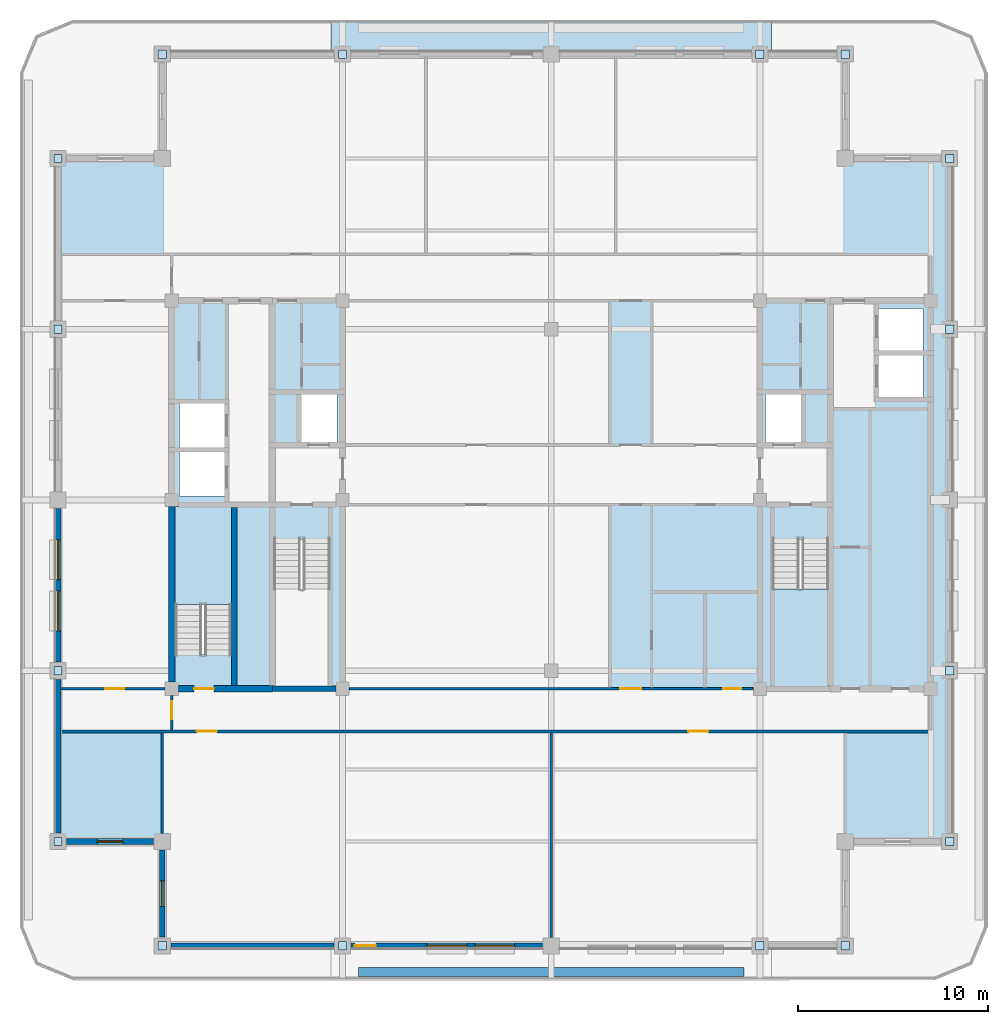
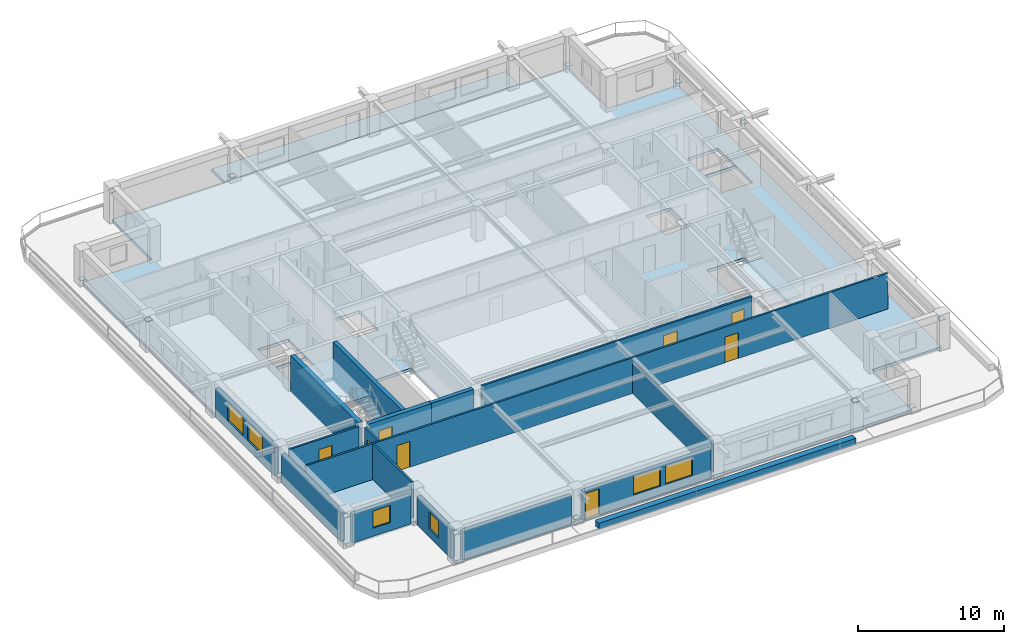
# One storey, part 2 of 11: 17 walls, 16 plates, 8 doors, 6 windows, 4 slabs, 14 openings, 2 elements without a shape of their own.
"""IFC4 building model written with IfcOpenShell, lengths in metres."""

from ifc_helpers import new_model, si_unit, direction, frame, frame_2d, origin, origin_2d, place, context, subcontext, project, spatial, polyline, rectangle, outline, extrude, material, layer, layer_set, type_object, element, fill, aggregate, save


model = new_model("IFC4")

# Units and contexts
model_context = context("Model", 3, precision=1e-05, world=origin(), true_north=direction((0.0, 1.0)))
body_context = subcontext(model_context, "Body", "Model", "MODEL_VIEW")
ifc_project = project(units=[si_unit("LENGTHUNIT", "METRE"), si_unit("AREAUNIT", "SQUARE_METRE"), si_unit("VOLUMEUNIT", "CUBIC_METRE"), si_unit("PLANEANGLEUNIT", "RADIAN"), si_unit("MASSUNIT", "GRAM", prefix="KILO")], contexts=[model_context])

# Site, building, storey
site_placement = place(None, origin())
site = spatial("IfcSite", under=ifc_project, at=site_placement, CompositionType="ELEMENT")
building_placement = place(site_placement, origin())
building = spatial("IfcBuilding", under=site, at=building_placement, Name="Zulmaris Gate Convention Tower", CompositionType="ELEMENT")
storey_placement = place(building_placement, frame((0.0, 0.0, 260.889892578125)))
storey = spatial("IfcBuildingStorey", under=building, at=storey_placement, Name="L69", CompositionType="ELEMENT", Elevation=260.889892578125)

# Plates
ifc_material_1 = material(Name="Steel S460", Category="steel")
ifc_layer_1 = layer(ifc_material_1, 0.02490234375, Name="Steel S460")
ifc_layer_set_1 = layer_set([ifc_layer_1], Name="Steel S460")
plate_type = type_object("IfcPlateType", Name="NP-CAP-440", PredefinedType="USERDEFINED", material=ifc_layer_set_1)
for number, where, z_axis, x_axis, name in (
    (1, (-26.0, -9.0, 0.28759765625), (0.0, 0.0, 1.0), (1.0, 0.0, 0.0), "L69 Steel Node Plate PBR-L69-SW-W-CAP"),
    (2, (-26.0, -18.0, 2.34765625), (0.0, 0.0, 1.0), (1.0, 0.0, 0.0), "L69 Steel Node Plate PBR-L69-SW-W-CAPB"),
    (3, (-26.0, 18.0, 0.28759765625), (0.0, 0.0, 1.0), (1.0, 0.0, 0.0), "L69 Steel Node Plate PBR-L69-NW-W-CAP"),
    (4, (-26.0, 9.0, 2.34765625), (0.0, 0.0, 1.0), (1.0, 0.0, 0.0), "L69 Steel Node Plate PBR-L69-NW-W-CAPB"),
    (5, (21.0, -9.0, 0.28759765625), (0.0, 0.0, 1.0), (1.0, 0.0, 0.0), "L69 Steel Node Plate PBR-L69-SE-E-CAP"),
    (6, (21.0, -18.0, 2.34765625), (0.0, 0.0, 1.0), (1.0, 0.0, 0.0), "L69 Steel Node Plate PBR-L69-SE-E-CAPB"),
    (7, (21.0, 18.0, 0.28759765625), (0.0, 0.0, 1.0), (1.0, 0.0, 0.0), "L69 Steel Node Plate PBR-L69-NE-E-CAP"),
    (8, (21.0, 9.0, 2.34765625), (0.0, 0.0, 1.0), (1.0, 0.0, 0.0), "L69 Steel Node Plate PBR-L69-NE-E-CAPB"),
    (9, (-11.0, -23.5, 0.28759765625), (0.0, 0.0, 1.0), (1.0, 0.0, 0.0), "L69 Steel Node Plate PBR-L69-SW-S-CAP"),
    (10, (-20.5, -23.5, 2.34765625), (0.0, 0.0, 1.0), (1.0, 0.0, 0.0), "L69 Steel Node Plate PBR-L69-SW-S-CAPB"),
    (11, (15.5, -23.5, 0.28759765625), (0.0, 0.0, 1.0), (1.0, 0.0, 0.0), "L69 Steel Node Plate PBR-L69-SE-S-CAP"),
    (12, (11.0, -23.5, 2.34765625), (0.0, 0.0, 1.0), (1.0, 0.0, 0.0), "L69 Steel Node Plate PBR-L69-SE-S-CAPB"),
    (13, (-11.0, 23.5, 0.28759765625), (0.0, 0.0, 1.0), (1.0, 0.0, 0.0), "L69 Steel Node Plate PBR-L69-NW-N-CAP"),
    (14, (-20.5, 23.5, 2.34765625), (0.0, 0.0, 1.0), (1.0, 0.0, 0.0), "L69 Steel Node Plate PBR-L69-NW-N-CAPB"),
    (15, (15.5, 23.5, 0.28759765625), (0.0, 0.0, 1.0), (1.0, 0.0, 0.0), "L69 Steel Node Plate PBR-L69-NE-N-CAP"),
    (16, (11.0, 23.5, 2.34765625), (0.0, 0.0, 1.0), (1.0, 0.0, 0.0), "L69 Steel Node Plate PBR-L69-NE-N-CAPB"),
):
    element("IfcPlate", number, at=place(storey_placement, frame(where, z_axis=z_axis, x_axis=x_axis)), inside=storey, type_object=plate_type, Name=name, ObjectType="FLANGE PLATE", PredefinedType="USERDEFINED", context=body_context, shape_type="SweptSolid", body=[
        extrude(rectangle(XDim=0.43994140625, YDim=0.43994140625, at=origin_2d()), origin(), (0.0, 0.0, 1.0), 0.02490234375),
    ])

# Slabs
ifc_material_2 = material(Name="Precast concrete C50/60", Category="concrete")
ifc_layer_2 = layer(ifc_material_2, 0.239990234375, Name="Precast concrete C50/60")
ifc_layer_set_2 = layer_set([ifc_layer_2], Name="Precast concrete C50/60")
slab_type_1 = type_object("IfcSlabType", Name="SL-BAL-240", PredefinedType="FLOOR", material=ifc_layer_set_2)
slab_1_placement = place(storey_placement, frame((0.0, 0.0, -0.25)))
element("IfcSlab", 17, at=slab_1_placement, inside=storey, type_object=slab_type_1, Name="L69 North Tree-Balcony Planter Slab", PredefinedType="FLOOR", context=body_context, shape_type="SweptSolid", body=[
    extrude(outline(polyline([(11.597900390625, 25.300048828125), (11.597900390625, 23.5), (-11.597900390625, 23.5), (-11.597900390625, 25.300048828125), (11.597900390625, 25.300048828125)])), origin(), (0.0, 0.0, 1.0), 0.239990234375),
])
ifc_material_3 = material(Name="Concrete C50/60", Category="concrete")
ifc_layer_3 = layer(ifc_material_3, 0.25, Name="Concrete C50/60")
ifc_layer_set_3 = layer_set([ifc_layer_3], Name="Concrete C50/60")
slab_type_2 = type_object("IfcSlabType", Name="SL-FLR-250", PredefinedType="FLOOR", material=ifc_layer_set_3)
slab_2_placement = place(storey_placement, frame((0.0, 0.0, -0.25)))
element("IfcSlab", 18, at=slab_2_placement, inside=storey, type_object=slab_type_2, Name="L69 Shifted Notched-Square Structural Floor Slab", PredefinedType="FLOOR", context=body_context, shape_type="SweptSolid", body=[
    extrude(outline(polyline([(-20.5, -23.5), (15.5, -23.5), (15.5, -18.0), (21.0, -18.0), (21.0, 18.0), (15.5, 18.0), (15.5, 23.5), (-20.5, 23.5), (-20.5, 18.0), (-26.0, 18.0), (-26.0, -18.0), (-20.5, -18.0), (-20.5, -23.5)]), holes=[polyline([(-14.6201171875, -2.080078125), (-14.6201171875, -9.85009765625), (-11.659912109375, -9.85009765625), (-11.659912109375, -2.080078125), (-14.6201171875, -2.080078125)]), polyline([(11.659912109375, -2.080078125), (11.659912109375, -9.85009765625), (14.6201171875, -9.85009765625), (14.6201171875, -2.080078125), (11.659912109375, -2.080078125)]), polyline([(-16.860107421875, -8.1201171875), (-16.860107421875, -0.35009765625), (-19.820068359375, -0.35009765625), (-19.820068359375, -8.1201171875), (-16.860107421875, -8.1201171875)]), polyline([(-13.199951171875, 3.0), (-11.300048828125, 3.0), (-11.300048828125, 5.60009765625), (-13.199951171875, 5.60009765625), (-13.199951171875, 3.0)]), polyline([(11.300048828125, 3.0), (13.199951171875, 3.0), (13.199951171875, 5.60009765625), (11.300048828125, 5.60009765625), (11.300048828125, 3.0)]), polyline([(17.199951171875, 5.39990234375), (19.60009765625, 5.39990234375), (19.60009765625, 7.699951171875), (17.199951171875, 7.699951171875), (17.199951171875, 5.39990234375)]), polyline([(17.199951171875, 7.800048828125), (19.60009765625, 7.800048828125), (19.60009765625, 10.10009765625), (17.199951171875, 10.10009765625), (17.199951171875, 7.800048828125)]), polyline([(-19.60009765625, 0.199951171875), (-17.199951171875, 0.199951171875), (-17.199951171875, 2.60009765625), (-19.60009765625, 2.60009765625), (-19.60009765625, 0.199951171875)]), polyline([(-19.60009765625, 2.699951171875), (-17.199951171875, 2.699951171875), (-17.199951171875, 5.10009765625), (-19.60009765625, 5.10009765625), (-19.60009765625, 2.699951171875)])]), origin(), (0.0, 0.0, 1.0), 0.25),
])

# Stair, slab
ifc_material_4 = material(Name="Concrete C45/55", Category="concrete")
stair_type = type_object("IfcStairType", Name="ST-CORE-DOGLEG", PredefinedType="HALF_TURN_STAIR", material=ifc_material_4)
stair_1_placement = place(storey_placement, origin())
stair_1 = element("IfcStair", 19, at=stair_1_placement, inside=storey, type_object=stair_type, Name="L69 Core Exit Stair ST-2", PredefinedType="HALF_TURN_STAIR")
ifc_layer_4 = layer(ifc_material_4, 0.199951171875, Name="Concrete C45/55")
ifc_layer_set_4 = layer_set([ifc_layer_4], Name="Concrete C45/55")
slab_type_3 = type_object("IfcSlabType", Name="SL-LND-200", PredefinedType="LANDING", material=ifc_layer_set_4)
slab_3_placement = place(storey_placement, frame((0.0, 0.0, 1.4150390625)))
slab_3 = element("IfcSlab", 20, at=slab_3_placement, type_object=slab_type_3, Name="ST-2 landing 1", PredefinedType="LANDING", context=body_context, shape_type="SweptSolid", body=[
    extrude(outline(polyline([(11.659912109375, -4.699951171875), (11.659912109375, -9.85009765625), (14.6201171875, -9.85009765625), (14.6201171875, -4.699951171875), (11.659912109375, -4.699951171875)])), origin(), (0.0, 0.0, 1.0), 0.199951171875),
])
aggregate(stair_1, [slab_3])

stair_2_placement = place(storey_placement, origin())
stair_2 = element("IfcStair", 21, at=stair_2_placement, inside=storey, type_object=stair_type, Name="L69 Core Exit Stair ST-3", PredefinedType="HALF_TURN_STAIR")
slab_4_placement = place(storey_placement, frame((0.0, 0.0, 1.4150390625)))
slab_4 = element("IfcSlab", 22, at=slab_4_placement, type_object=slab_type_3, Name="ST-3 landing 1", PredefinedType="LANDING", context=body_context, shape_type="SweptSolid", body=[
    extrude(outline(polyline([(-16.860107421875, -5.5), (-16.860107421875, -0.35009765625), (-19.820068359375, -0.35009765625), (-19.820068359375, -5.5), (-16.860107421875, -5.5)])), origin(), (0.0, 0.0, 1.0), 0.199951171875),
])
aggregate(stair_2, [slab_4])

# Walls
ifc_layer_5 = layer(ifc_material_3, 0.300048828125, Name="Concrete C50/60")
ifc_layer_set_5 = layer_set([ifc_layer_5], Name="Concrete C50/60")
wall_type_1 = type_object("IfcWallType", Name="CORE-300", PredefinedType="SHEAR", material=ifc_layer_set_5)
wall_1_placement = place(storey_placement, frame((-14.699951171875, -9.949951171875, 0.0), z_axis=(0.0, 0.0, 1.0), x_axis=(1.0, 0.0, 0.0)))
element("IfcWall", 23, at=wall_1_placement, inside=storey, type_object=wall_type_1, Name="WL-L69-002", PredefinedType="SHEAR", context=body_context, shape_type="SweptSolid", body=[
    extrude(rectangle(XDim=3.345947265625, YDim=0.300048828125, at=frame_2d((1.6728515625, 0.0))), origin(), (0.0, 0.0, 1.0), 2.97998046875),
])
wall_2_placement = place(storey_placement, frame((-16.699951171875, -9.77294921875, 0.0), z_axis=(0.0, 0.0, 1.0), x_axis=(0.0, 1.0, 0.0)))
element("IfcWall", 24, at=wall_2_placement, inside=storey, type_object=wall_type_1, Name="WL-L69-038", PredefinedType="SHEAR", context=body_context, shape_type="SweptSolid", body=[
    extrude(rectangle(XDim=9.370849609375, YDim=0.300048828125, at=frame_2d((4.685546875, 0.0))), origin(), (0.0, 0.0, 1.0), 2.97998046875),
])

# Wall, opening, door
ifc_material_5 = material(Name="Concrete C55/67", Category="concrete")
ifc_layer_6 = layer(ifc_material_5, 0.35009765625, Name="Concrete C55/67")
ifc_layer_set_6 = layer_set([ifc_layer_6], Name="Concrete C55/67")
wall_type_2 = type_object("IfcWallType", Name="CORE-350", PredefinedType="SHEAR", material=ifc_layer_set_6)
wall_3_placement = place(storey_placement, frame((-19.64599609375, -9.949951171875, 0.0), z_axis=(0.0, 0.0, 1.0), x_axis=(1.0, 0.0, 0.0)))
wall_3 = element("IfcWall", 25, at=wall_3_placement, inside=storey, type_object=wall_type_2, Name="WL-L69-001", PredefinedType="SHEAR", context=body_context, shape_type="SweptSolid", body=[
    extrude(rectangle(XDim=4.946044921875, YDim=0.35009765625, at=frame_2d((2.47314453125, 0.0))), origin(), (0.0, 0.0, 1.0), 2.97998046875),
])
opening_1_placement = place(wall_3_placement, frame((0.821044921875, 0.0, 0.0)))
opening_1 = element("IfcOpeningElement", 26, at=opening_1_placement, cuts=wall_3, Name="Opening D-09", PredefinedType="OPENING", context=body_context, shape_type="SweptSolid", body=[
    extrude(rectangle(XDim=1.050048828125, YDim=2.14990234375, at=frame_2d((0.52490234375, 1.074951171875))), frame((0.0, 0.18505859375, 0.0), z_axis=(0.0, -1.0, 0.0), x_axis=(1.0, 0.0, 0.0)), (0.0, 0.0, 1.0), 0.3701171875),
])
ifc_material_6 = material(Name="Fire-Rated Steel", Category="steel")
door_type_1 = type_object("IfcDoorType", Name="DR-1050-FD", OperationType="NOTDEFINED", PredefinedType="DOOR", material=ifc_material_6)
door_1_placement = place(opening_1_placement, origin())
door_1 = element("IfcDoor", 27, at=door_1_placement, inside=storey, type_object=door_type_1, Name="L69 Exit Stair ST-3 Door 13", OperationType="SINGLE_SWING_RIGHT", OverallHeight=2.14990234375, OverallWidth=1.050048828125, PredefinedType="DOOR", context=body_context, shape_type="SweptSolid", body=[
    extrude(rectangle(XDim=1.050048828125, YDim=2.14990234375, at=frame_2d((0.52490234375, 1.074951171875))), frame((0.0, 0.02490234375, 0.0), z_axis=(0.0, -1.0, 0.0), x_axis=(1.0, 0.0, 0.0)), (0.0, 0.0, 1.0), 0.050048828125),
])
fill(opening_1, door_1)

# Wall
wall_4_placement = place(storey_placement, frame((-20.0, -9.595947265625, 0.0), z_axis=(0.0, 0.0, 1.0), x_axis=(0.0, 1.0, 0.0)))
element("IfcWall", 28, at=wall_4_placement, inside=storey, type_object=wall_type_2, Name="WL-L69-032", PredefinedType="SHEAR", context=body_context, shape_type="SweptSolid", body=[
    extrude(rectangle(XDim=9.241943359375, YDim=0.35009765625, at=frame_2d((4.62109375, 0.0))), origin(), (0.0, 0.0, 1.0), 2.97998046875),
])

# Wall, openings, doors
ifc_material_7 = material(Name="Gypsum Metal Stud Partition")
ifc_layer_7 = layer(ifc_material_7, 0.14990234375, Name="Gypsum Metal Stud Partition")
ifc_layer_set_7 = layer_set([ifc_layer_7], Name="Gypsum Metal Stud Partition")
wall_type_3 = type_object("IfcWallType", Name="PART-150", PredefinedType="PARTITIONING", material=ifc_layer_set_7)
wall_5_placement = place(storey_placement, frame((-25.8349609375, -12.199951171875, 0.0), z_axis=(0.0, 0.0, 1.0), x_axis=(1.0, 0.0, 0.0)))
wall_5 = element("IfcWall", 29, at=wall_5_placement, inside=storey, type_object=wall_type_3, Name="WL-L69-019", PredefinedType="PARTITIONING", context=body_context, shape_type="SweptSolid", body=[
    extrude(rectangle(XDim=45.909912109375, YDim=0.14990234375, at=frame_2d((22.955078125, 0.0))), origin(), (0.0, 0.0, 1.0), 2.97998046875),
])
opening_2_placement = place(wall_5_placement, frame((7.159912109375, 0.0, 0.0)))
opening_2 = element("IfcOpeningElement", 30, at=opening_2_placement, cuts=wall_5, Name="Opening D-09", PredefinedType="OPENING", context=body_context, shape_type="SweptSolid", body=[
    extrude(rectangle(XDim=1.050048828125, YDim=2.14990234375, at=frame_2d((0.52490234375, 1.074951171875))), frame((0.0, 0.0849609375, 0.0), z_axis=(0.0, -1.0, 0.0), x_axis=(1.0, 0.0, 0.0)), (0.0, 0.0, 1.0), 0.169921875),
])
opening_3_placement = place(wall_5_placement, frame((33.06005859375, 0.0, 0.0)))
opening_3 = element("IfcOpeningElement", 31, at=opening_3_placement, cuts=wall_5, Name="Opening D-09", PredefinedType="OPENING", context=body_context, shape_type="SweptSolid", body=[
    extrude(rectangle(XDim=1.050048828125, YDim=2.14990234375, at=frame_2d((0.52490234375, 1.074951171875))), frame((0.0, 0.0849609375, 0.0), z_axis=(0.0, -1.0, 0.0), x_axis=(1.0, 0.0, 0.0)), (0.0, 0.0, 1.0), 0.169921875),
])
door_2_placement = place(opening_2_placement, origin())
door_2 = element("IfcDoor", 32, at=door_2_placement, inside=storey, type_object=door_type_1, Name="L69 Partner Corner Office Door 32", OperationType="SINGLE_SWING_LEFT", OverallHeight=2.14990234375, OverallWidth=1.050048828125, PredefinedType="DOOR", context=body_context, shape_type="SweptSolid", body=[
    extrude(rectangle(XDim=1.050048828125, YDim=2.14990234375, at=frame_2d((0.52490234375, 1.074951171875))), frame((0.0, 0.02490234375, 0.0), z_axis=(0.0, -1.0, 0.0), x_axis=(1.0, 0.0, 0.0)), (0.0, 0.0, 1.0), 0.050048828125),
])
fill(opening_2, door_2)
door_3_placement = place(opening_3_placement, origin())
door_3 = element("IfcDoor", 33, at=door_3_placement, inside=storey, type_object=door_type_1, Name="L69 Advisory Suite Office Door 33", OperationType="SINGLE_SWING_RIGHT", OverallHeight=2.14990234375, OverallWidth=1.050048828125, PredefinedType="DOOR", context=body_context, shape_type="SweptSolid", body=[
    extrude(rectangle(XDim=1.050048828125, YDim=2.14990234375, at=frame_2d((0.52490234375, 1.074951171875))), frame((0.0, 0.02490234375, 0.0), z_axis=(0.0, -1.0, 0.0), x_axis=(1.0, 0.0, 0.0)), (0.0, 0.0, 1.0), 0.050048828125),
])
fill(opening_3, door_3)

# Wall, opening, door
wall_6_placement = place(storey_placement, frame((-25.8349609375, -9.949951171875, 0.0), z_axis=(0.0, 0.0, 1.0), x_axis=(1.0, 0.0, 0.0)))
wall_6 = element("IfcWall", 34, at=wall_6_placement, inside=storey, type_object=wall_type_3, Name="WL-L69-020", PredefinedType="PARTITIONING", context=body_context, shape_type="SweptSolid", body=[
    extrude(rectangle(XDim=5.47900390625, YDim=0.14990234375, at=frame_2d((2.739501953125, 0.0))), origin(), (0.0, 0.0, 1.0), 2.97998046875),
])
opening_4_placement = place(wall_6_placement, frame((2.3349609375, 0.0, 0.0)))
opening_4 = element("IfcOpeningElement", 35, at=opening_4_placement, cuts=wall_6, Name="Opening D-10", PredefinedType="OPENING", context=body_context, shape_type="SweptSolid", body=[
    extrude(rectangle(XDim=1.0, YDim=2.14990234375, at=frame_2d((0.5, 1.074951171875))), frame((0.0, 0.0849609375, 0.0), z_axis=(0.0, -1.0, 0.0), x_axis=(1.0, 0.0, 0.0)), (0.0, 0.0, 1.0), 0.169921875),
])
ifc_material_8 = material(Name="Fire-Rated Timber", Category="wood")
door_type_2 = type_object("IfcDoorType", Name="DR-1000-FD", OperationType="NOTDEFINED", PredefinedType="DOOR", material=ifc_material_8)
door_4_placement = place(opening_4_placement, origin())
door_4 = element("IfcDoor", 36, at=door_4_placement, inside=storey, type_object=door_type_2, Name="L69 West Workplace South Door 43", OperationType="SINGLE_SWING_RIGHT", OverallHeight=2.14990234375, OverallWidth=1.0, PredefinedType="DOOR", context=body_context, shape_type="SweptSolid", body=[
    extrude(rectangle(XDim=1.0, YDim=2.14990234375, at=frame_2d((0.5, 1.074951171875))), frame((0.0, 0.02490234375, 0.0), z_axis=(0.0, -1.0, 0.0), x_axis=(1.0, 0.0, 0.0)), (0.0, 0.0, 1.0), 0.050048828125),
])
fill(opening_4, door_4)

# Wall, openings, doors
wall_7_placement = place(storey_placement, frame((-10.64404296875, -9.949951171875, 0.0), z_axis=(0.0, 0.0, 1.0), x_axis=(1.0, 0.0, 0.0)))
wall_7 = element("IfcWall", 37, at=wall_7_placement, inside=storey, type_object=wall_type_3, Name="WL-L69-021", PredefinedType="PARTITIONING", context=body_context, shape_type="SweptSolid", body=[
    extrude(rectangle(XDim=21.2880859375, YDim=0.14990234375, at=frame_2d((10.64404296875, 0.0))), origin(), (0.0, 0.0, 1.0), 2.97998046875),
])
opening_5_placement = place(wall_7_placement, frame((14.2939453125, 0.0, 0.0)))
opening_5 = element("IfcOpeningElement", 38, at=opening_5_placement, cuts=wall_7, Name="Opening D-08", PredefinedType="OPENING", context=body_context, shape_type="SweptSolid", body=[
    extrude(rectangle(XDim=1.10009765625, YDim=2.14990234375, at=frame_2d((0.550048828125, 1.074951171875))), frame((0.0, 0.0849609375, 0.0), z_axis=(0.0, -1.0, 0.0), x_axis=(1.0, 0.0, 0.0)), (0.0, 0.0, 1.0), 0.169921875),
])
opening_6_placement = place(wall_7_placement, frame((19.718994140625, 0.0, 0.0)))
opening_6 = element("IfcOpeningElement", 39, at=opening_6_placement, cuts=wall_7, Name="Opening D-11", PredefinedType="OPENING", context=body_context, shape_type="SweptSolid", body=[
    extrude(rectangle(XDim=0.949951171875, YDim=2.14990234375, at=frame_2d((0.47509765625, 1.074951171875))), frame((0.0, 0.0849609375, 0.0), z_axis=(0.0, -1.0, 0.0), x_axis=(1.0, 0.0, 0.0)), (0.0, 0.0, 1.0), 0.169921875),
])
door_type_3 = type_object("IfcDoorType", Name="DR-1100-FD", OperationType="NOTDEFINED", PredefinedType="DOOR", material=ifc_material_6)
door_5_placement = place(opening_5_placement, origin())
door_5 = element("IfcDoor", 40, at=door_5_placement, inside=storey, type_object=door_type_3, Name="L69 Exec South Link Door 26", OperationType="SINGLE_SWING_LEFT", OverallHeight=2.14990234375, OverallWidth=1.10009765625, PredefinedType="DOOR", context=body_context, shape_type="SweptSolid", body=[
    extrude(rectangle(XDim=1.10009765625, YDim=2.14990234375, at=frame_2d((0.550048828125, 1.074951171875))), frame((0.0, 0.02490234375, 0.0), z_axis=(0.0, -1.0, 0.0), x_axis=(1.0, 0.0, 0.0)), (0.0, 0.0, 1.0), 0.050048828125),
])
fill(opening_5, door_5)
door_type_4 = type_object("IfcDoorType", Name="DR-950-FD", OperationType="NOTDEFINED", PredefinedType="DOOR", material=ifc_material_8)
door_6_placement = place(opening_6_placement, origin())
door_6 = element("IfcDoor", 41, at=door_6_placement, inside=storey, type_object=door_type_4, Name="L69 Vault Store Door 39", OperationType="SINGLE_SWING_RIGHT", OverallHeight=2.14990234375, OverallWidth=0.949951171875, PredefinedType="DOOR", context=body_context, shape_type="SweptSolid", body=[
    extrude(rectangle(XDim=0.949951171875, YDim=2.14990234375, at=frame_2d((0.47509765625, 1.074951171875))), frame((0.0, 0.02490234375, 0.0), z_axis=(0.0, -1.0, 0.0), x_axis=(1.0, 0.0, 0.0)), (0.0, 0.0, 1.0), 0.050048828125),
])
fill(opening_6, door_6)

# Wall
wall_8_placement = place(storey_placement, frame((-20.5, -17.569091796875, 0.0), z_axis=(0.0, 0.0, 1.0), x_axis=(0.0, 1.0, 0.0)))
element("IfcWall", 42, at=wall_8_placement, inside=storey, type_object=wall_type_3, Name="WL-L69-064", PredefinedType="PARTITIONING", context=body_context, shape_type="SweptSolid", body=[
    extrude(rectangle(XDim=5.291015625, YDim=0.14990234375, at=frame_2d((2.6455078125, 0.0))), origin(), (0.0, 0.0, 1.0), 2.97998046875),
])

# Wall, opening, door
wall_9_placement = place(storey_placement, frame((-20.0, -12.1220703125, 0.0), z_axis=(0.0, 0.0, 1.0), x_axis=(0.0, 1.0, 0.0)))
wall_9 = element("IfcWall", 43, at=wall_9_placement, inside=storey, type_object=wall_type_3, Name="WL-L69-065", PredefinedType="PARTITIONING", context=body_context, shape_type="SweptSolid", body=[
    extrude(rectangle(XDim=1.816162109375, YDim=0.14990234375, at=frame_2d((0.908203125, 0.0))), origin(), (0.0, 0.0, 1.0), 2.97998046875),
])
opening_7_placement = place(wall_9_placement, frame((0.576904296875, 0.0, 0.0)))
opening_7 = element("IfcOpeningElement", 44, at=opening_7_placement, cuts=wall_9, Name="Opening D-11", PredefinedType="OPENING", context=body_context, shape_type="SweptSolid", body=[
    extrude(rectangle(XDim=0.949951171875, YDim=2.14990234375, at=frame_2d((0.47509765625, 1.074951171875))), frame((0.0, 0.0849609375, 0.0), z_axis=(0.0, -1.0, 0.0), x_axis=(1.0, 0.0, 0.0)), (0.0, 0.0, 1.0), 0.169921875),
])
door_7_placement = place(opening_7_placement, origin())
door_7 = element("IfcDoor", 45, at=door_7_placement, inside=storey, type_object=door_type_4, Name="L69 SW Spur Door 41", OperationType="SINGLE_SWING_RIGHT", OverallHeight=2.14990234375, OverallWidth=0.949951171875, PredefinedType="DOOR", context=body_context, shape_type="SweptSolid", body=[
    extrude(rectangle(XDim=0.949951171875, YDim=2.14990234375, at=frame_2d((0.47509765625, 1.074951171875))), frame((0.0, 0.02490234375, 0.0), z_axis=(0.0, -1.0, 0.0), x_axis=(1.0, 0.0, 0.0)), (0.0, 0.0, 1.0), 0.050048828125),
])
fill(opening_7, door_7)

# Walls
wall_10_placement = place(storey_placement, frame((0.0, -23.069091796875, 0.0), z_axis=(0.0, 0.0, 1.0), x_axis=(0.0, 1.0, 0.0)))
element("IfcWall", 46, at=wall_10_placement, inside=storey, type_object=wall_type_3, Name="WL-L69-072", PredefinedType="PARTITIONING", context=body_context, shape_type="SweptSolid", body=[
    extrude(rectangle(XDim=10.791015625, YDim=0.14990234375, at=frame_2d((5.3955078125, 0.0))), origin(), (0.0, 0.0, 1.0), 2.570068359375),
])
ifc_material_9 = material(Name="Botanical Green Glazed Precast Concrete C40/50", Category="concrete")
ifc_layer_8 = layer(ifc_material_9, 0.419921875, Name="Botanical Green Glazed Precast Concrete C40/50")
ifc_layer_set_8 = layer_set([ifc_layer_8], Name="Botanical Green Glazed Precast Concrete C40/50")
wall_type_4 = type_object("IfcWallType", Name="PLANTER-CURB-200", PredefinedType="PARAPET", material=ifc_layer_set_8)
wall_11_placement = place(storey_placement, frame((-10.14990234375, -24.8798828125, -0.0400390625), z_axis=(0.0, 0.0, 1.0), x_axis=(1.0, 0.0, 0.0)))
element("IfcWall", 47, at=wall_11_placement, inside=storey, type_object=wall_type_4, Name="L69 Full-Length Balcony Tree Planter Trough", PredefinedType="PARAPET", context=body_context, shape_type="SweptSolid", body=[
    extrude(rectangle(XDim=20.2998046875, YDim=0.47998046875, at=frame_2d((10.14990234375, 0.0))), origin(), (0.0, 0.0, 1.0), 0.52001953125),
])

# Wall, opening, window
ifc_material_10 = material(Name="Precast concrete C40/50", Category="concrete")
ifc_layer_9 = layer(ifc_material_10, 0.300048828125, Name="Precast concrete C40/50")
ifc_layer_set_9 = layer_set([ifc_layer_9], Name="Precast concrete C40/50")
wall_type_5 = type_object("IfcWallType", Name="PRECAST-PIER-300", PredefinedType="STANDARD", material=ifc_layer_set_9)
wall_12_placement = place(storey_placement, frame((-25.544921875, -18.0, 0.0), z_axis=(0.0, 0.0, 1.0), x_axis=(1.0, 0.0, 0.0)))
wall_12 = element("IfcWall", 48, at=wall_12_placement, inside=storey, type_object=wall_type_5, Name="EW-L69-NOTCH-SW1_0", PredefinedType="STANDARD", context=body_context, shape_type="SweptSolid", body=[
    extrude(rectangle(XDim=4.58984375, YDim=0.300048828125, at=frame_2d((2.294921875, 0.0))), origin(), (0.0, 0.0, 1.0), 2.3720703125),
])
opening_8_placement = place(wall_12_placement, frame((1.6201171875, 0.0, 0.679931640625)))
opening_8 = element("IfcOpeningElement", 49, at=opening_8_placement, cuts=wall_12, Name="Opening W-10", PredefinedType="OPENING", context=body_context, shape_type="SweptSolid", body=[
    extrude(rectangle(XDim=1.35009765625, YDim=1.419921875, at=frame_2d((0.675048828125, 0.7099609375))), frame((0.0, 0.16015625, 0.0), z_axis=(0.0, -1.0, 0.0), x_axis=(1.0, 0.0, 0.0)), (0.0, 0.0, 1.0), 0.320068359375),
])
ifc_material_11 = material(Name="Low-E Laminated Double Glazing in Aluminium Frame", Category="aluminium")
window_type_1 = type_object("IfcWindowType", Name="WIN-1350x2000", PartitioningType="SINGLE_PANEL", PredefinedType="WINDOW", material=ifc_material_11)
window_1_placement = place(opening_8_placement, origin())
window_1 = element("IfcWindow", 50, at=window_1_placement, inside=storey, type_object=window_type_1, Name="WN-EW-L69-NOTCH-SW1_0", OverallHeight=1.419921875, OverallWidth=1.35009765625, PartitioningType="SINGLE_PANEL", PredefinedType="WINDOW", context=body_context, shape_type="SweptSolid", body=[
    extrude(rectangle(XDim=1.35009765625, YDim=1.419921875, at=frame_2d((0.675048828125, 0.7099609375))), frame((0.0, 0.030029296875, 0.0), z_axis=(0.0, -1.0, 0.0), x_axis=(1.0, 0.0, 0.0)), (0.0, 0.0, 1.0), 0.06005859375),
])
fill(opening_8, window_1)

wall_13_placement = place(storey_placement, frame((-20.5, -18.455078125, 0.0), z_axis=(0.0, 0.0, 1.0), x_axis=(0.0, -1.0, 0.0)))
wall_13 = element("IfcWall", 51, at=wall_13_placement, inside=storey, type_object=wall_type_5, Name="EW-L69-NOTCH-SW2_0", PredefinedType="STANDARD", context=body_context, shape_type="SweptSolid", body=[
    extrude(rectangle(XDim=4.58984375, YDim=0.300048828125, at=frame_2d((2.294921875, 0.0))), origin(), (0.0, 0.0, 1.0), 2.3720703125),
])
opening_9_placement = place(wall_13_placement, frame((1.6201171875, 0.0, 0.679931640625)))
opening_9 = element("IfcOpeningElement", 52, at=opening_9_placement, cuts=wall_13, Name="Opening W-10", PredefinedType="OPENING", context=body_context, shape_type="SweptSolid", body=[
    extrude(rectangle(XDim=1.35009765625, YDim=1.419921875, at=frame_2d((0.675048828125, 0.7099609375))), frame((0.0, 0.16015625, 0.0), z_axis=(0.0, -1.0, 0.0), x_axis=(1.0, 0.0, 0.0)), (0.0, 0.0, 1.0), 0.320068359375),
])
window_2_placement = place(opening_9_placement, origin())
window_2 = element("IfcWindow", 53, at=window_2_placement, inside=storey, type_object=window_type_1, Name="WN-EW-L69-NOTCH-SW2_0", OverallHeight=1.419921875, OverallWidth=1.35009765625, PartitioningType="SINGLE_PANEL", PredefinedType="WINDOW", context=body_context, shape_type="SweptSolid", body=[
    extrude(rectangle(XDim=1.35009765625, YDim=1.419921875, at=frame_2d((0.675048828125, 0.7099609375))), frame((0.0, 0.030029296875, 0.0), z_axis=(0.0, -1.0, 0.0), x_axis=(1.0, 0.0, 0.0)), (0.0, 0.0, 1.0), 0.06005859375),
])
fill(opening_9, window_2)

# Wall
wall_14_placement = place(storey_placement, frame((-20.044921875, -23.5, 0.0), z_axis=(0.0, 0.0, 1.0), x_axis=(1.0, 0.0, 0.0)))
element("IfcWall", 54, at=wall_14_placement, inside=storey, type_object=wall_type_5, Name="EW-L69-S-0_0", PredefinedType="STANDARD", context=body_context, shape_type="SweptSolid", body=[
    extrude(rectangle(XDim=8.58984375, YDim=0.300048828125, at=frame_2d((4.294921875, 0.0))), origin(), (0.0, 0.0, 1.0), 2.3720703125),
])

# Wall, openings, door, windows
wall_15_placement = place(storey_placement, frame((-10.544921875, -23.5, 0.0), z_axis=(0.0, 0.0, 1.0), x_axis=(1.0, 0.0, 0.0)))
wall_15 = element("IfcWall", 55, at=wall_15_placement, inside=storey, type_object=wall_type_5, Name="EW-L69-S-1_0", PredefinedType="STANDARD", context=body_context, shape_type="SweptSolid", body=[
    extrude(rectangle(XDim=10.08984375, YDim=0.300048828125, at=frame_2d((5.044921875, 0.0))), origin(), (0.0, 0.0, 1.0), 2.3720703125),
])
opening_10_placement = place(wall_15_placement, frame((0.199951171875, 0.0, 0.0)))
opening_10 = element("IfcOpeningElement", 56, at=opening_10_placement, cuts=wall_15, Name="Opening D-04", PredefinedType="OPENING", context=body_context, shape_type="SweptSolid", body=[
    extrude(rectangle(XDim=1.10009765625, YDim=2.14990234375, at=frame_2d((0.550048828125, 1.074951171875))), frame((0.0, 0.16015625, 0.0), z_axis=(0.0, -1.0, 0.0), x_axis=(1.0, 0.0, 0.0)), (0.0, 0.0, 1.0), 0.320068359375),
])
opening_11_placement = place(wall_15_placement, frame((3.9951171875, 0.0, 0.699951171875)))
opening_11 = element("IfcOpeningElement", 57, at=opening_11_placement, cuts=wall_15, Name="Opening W-05", PredefinedType="OPENING", context=body_context, shape_type="SweptSolid", body=[
    extrude(rectangle(XDim=2.10009765625, YDim=1.5, at=frame_2d((1.050048828125, 0.75))), frame((0.0, 0.16015625, 0.0), z_axis=(0.0, -1.0, 0.0), x_axis=(1.0, 0.0, 0.0)), (0.0, 0.0, 1.0), 0.320068359375),
])
opening_12_placement = place(wall_15_placement, frame((6.51806640625, 0.0, 0.699951171875)))
opening_12 = element("IfcOpeningElement", 58, at=opening_12_placement, cuts=wall_15, Name="Opening W-05", PredefinedType="OPENING", context=body_context, shape_type="SweptSolid", body=[
    extrude(rectangle(XDim=2.10009765625, YDim=1.5, at=frame_2d((1.050048828125, 0.75))), frame((0.0, 0.16015625, 0.0), z_axis=(0.0, -1.0, 0.0), x_axis=(1.0, 0.0, 0.0)), (0.0, 0.0, 1.0), 0.320068359375),
])
ifc_material_12 = material(Name="Anodised Aluminium and Laminated Glass", Category="aluminium")
door_type_5 = type_object("IfcDoorType", Name="ED-1100", OperationType="SINGLE_SWING_RIGHT", PredefinedType="DOOR", material=ifc_material_12)
door_8_placement = place(opening_10_placement, origin())
door_8 = element("IfcDoor", 59, at=door_8_placement, inside=storey, type_object=door_type_5, Name="L69 S Planted Terrace Door", OperationType="SINGLE_SWING_RIGHT", OverallHeight=2.14990234375, OverallWidth=1.10009765625, PredefinedType="DOOR", context=body_context, shape_type="SweptSolid", body=[
    extrude(rectangle(XDim=1.10009765625, YDim=2.14990234375, at=frame_2d((0.550048828125, 1.074951171875))), frame((0.0, 0.02490234375, 0.0), z_axis=(0.0, -1.0, 0.0), x_axis=(1.0, 0.0, 0.0)), (0.0, 0.0, 1.0), 0.050048828125),
])
fill(opening_10, door_8)
window_type_2 = type_object("IfcWindowType", Name="WIN-2100x2400", PartitioningType="SINGLE_PANEL", PredefinedType="WINDOW", material=ifc_material_11)
window_3_placement = place(opening_11_placement, origin())
window_3 = element("IfcWindow", 60, at=window_3_placement, inside=storey, type_object=window_type_2, Name="WN-EW-L69-S-1_0-2", OverallHeight=1.5, OverallWidth=2.10009765625, PartitioningType="SINGLE_PANEL", PredefinedType="WINDOW", context=body_context, shape_type="SweptSolid", body=[
    extrude(rectangle(XDim=2.10009765625, YDim=1.5, at=frame_2d((1.050048828125, 0.75))), frame((0.0, 0.030029296875, 0.0), z_axis=(0.0, -1.0, 0.0), x_axis=(1.0, 0.0, 0.0)), (0.0, 0.0, 1.0), 0.06005859375),
])
fill(opening_11, window_3)
window_4_placement = place(opening_12_placement, origin())
window_4 = element("IfcWindow", 61, at=window_4_placement, inside=storey, type_object=window_type_2, Name="WN-EW-L69-S-1_0-3", OverallHeight=1.5, OverallWidth=2.10009765625, PartitioningType="SINGLE_PANEL", PredefinedType="WINDOW", context=body_context, shape_type="SweptSolid", body=[
    extrude(rectangle(XDim=2.10009765625, YDim=1.5, at=frame_2d((1.050048828125, 0.75))), frame((0.0, 0.030029296875, 0.0), z_axis=(0.0, -1.0, 0.0), x_axis=(1.0, 0.0, 0.0)), (0.0, 0.0, 1.0), 0.06005859375),
])
fill(opening_12, window_4)

# Wall
wall_16_placement = place(storey_placement, frame((-26.0, -9.455078125, 0.0), z_axis=(0.0, 0.0, 1.0), x_axis=(0.0, -1.0, 0.0)))
element("IfcWall", 62, at=wall_16_placement, inside=storey, type_object=wall_type_5, Name="EW-L69-W-0_0", PredefinedType="STANDARD", context=body_context, shape_type="SweptSolid", body=[
    extrude(rectangle(XDim=8.08984375, YDim=0.300048828125, at=frame_2d((4.044921875, 0.0))), origin(), (0.0, 0.0, 1.0), 2.3720703125),
])

# Wall, openings, windows
wall_17_placement = place(storey_placement, frame((-26.0, -0.455078125, 0.0), z_axis=(0.0, 0.0, 1.0), x_axis=(0.0, -1.0, 0.0)))
wall_17 = element("IfcWall", 63, at=wall_17_placement, inside=storey, type_object=wall_type_5, Name="EW-L69-W-1_0", PredefinedType="STANDARD", context=body_context, shape_type="SweptSolid", body=[
    extrude(rectangle(XDim=8.08984375, YDim=0.300048828125, at=frame_2d((4.044921875, 0.0))), origin(), (0.0, 0.0, 1.0), 2.3720703125),
])
opening_13_placement = place(wall_17_placement, frame((1.64697265625, 0.0, 0.699951171875)))
opening_13 = element("IfcOpeningElement", 64, at=opening_13_placement, cuts=wall_17, Name="Opening W-05", PredefinedType="OPENING", context=body_context, shape_type="SweptSolid", body=[
    extrude(rectangle(XDim=2.10009765625, YDim=1.5, at=frame_2d((1.050048828125, 0.75))), frame((0.0, 0.16015625, 0.0), z_axis=(0.0, -1.0, 0.0), x_axis=(1.0, 0.0, 0.0)), (0.0, 0.0, 1.0), 0.320068359375),
])
opening_14_placement = place(wall_17_placement, frame((4.343017578125, 0.0, 0.699951171875)))
opening_14 = element("IfcOpeningElement", 65, at=opening_14_placement, cuts=wall_17, Name="Opening W-05", PredefinedType="OPENING", context=body_context, shape_type="SweptSolid", body=[
    extrude(rectangle(XDim=2.10009765625, YDim=1.5, at=frame_2d((1.050048828125, 0.75))), frame((0.0, 0.16015625, 0.0), z_axis=(0.0, -1.0, 0.0), x_axis=(1.0, 0.0, 0.0)), (0.0, 0.0, 1.0), 0.320068359375),
])
window_5_placement = place(opening_13_placement, origin())
window_5 = element("IfcWindow", 66, at=window_5_placement, inside=storey, type_object=window_type_2, Name="WN-EW-L69-W-1_0-1", OverallHeight=1.5, OverallWidth=2.10009765625, PartitioningType="SINGLE_PANEL", PredefinedType="WINDOW", context=body_context, shape_type="SweptSolid", body=[
    extrude(rectangle(XDim=2.10009765625, YDim=1.5, at=frame_2d((1.050048828125, 0.75))), frame((0.0, 0.030029296875, 0.0), z_axis=(0.0, -1.0, 0.0), x_axis=(1.0, 0.0, 0.0)), (0.0, 0.0, 1.0), 0.06005859375),
])
fill(opening_13, window_5)
window_6_placement = place(opening_14_placement, origin())
window_6 = element("IfcWindow", 67, at=window_6_placement, inside=storey, type_object=window_type_2, Name="WN-EW-L69-W-1_0-2", OverallHeight=1.5, OverallWidth=2.10009765625, PartitioningType="SINGLE_PANEL", PredefinedType="WINDOW", context=body_context, shape_type="SweptSolid", body=[
    extrude(rectangle(XDim=2.10009765625, YDim=1.5, at=frame_2d((1.050048828125, 0.75))), frame((0.0, 0.030029296875, 0.0), z_axis=(0.0, -1.0, 0.0), x_axis=(1.0, 0.0, 0.0)), (0.0, 0.0, 1.0), 0.06005859375),
])
fill(opening_14, window_6)

save(model, "model.ifc")
